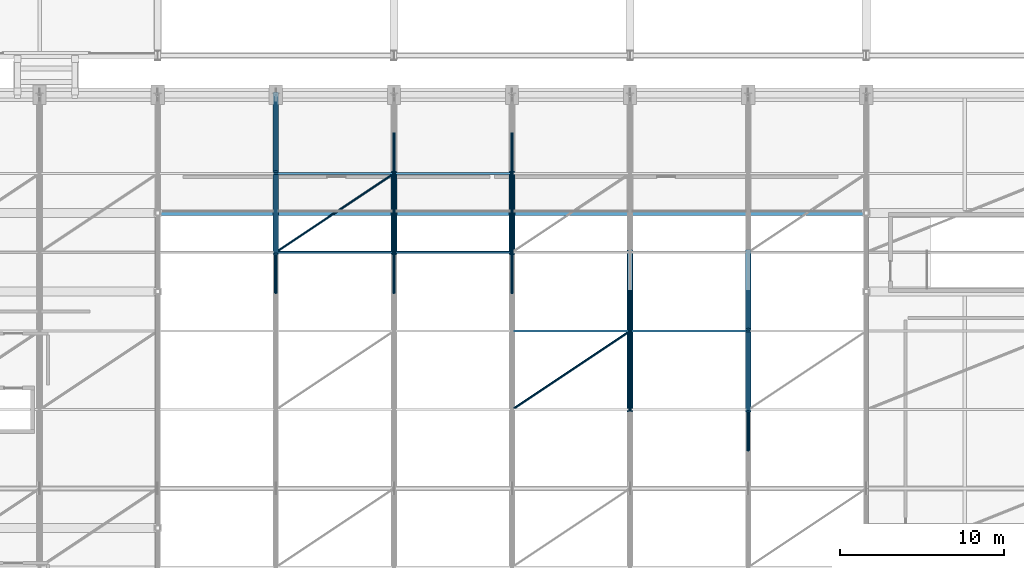
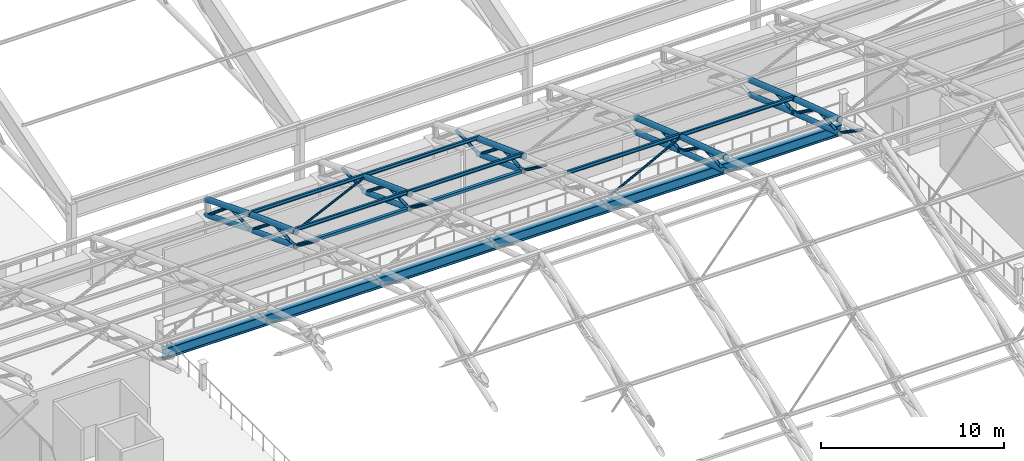
# One storey, part 52 of 116: 46 members, 1 beam.
"""IFC4 building model written with IfcOpenShell, lengths in metres."""

import ifcopenshell
import ifcopenshell.guid

model = None  # the IFC model being written
_history = None  # IfcOwnerHistory: only IFC2X3 demands one
_inside = {}  # id of a spatial element -> (the spatial element, [elements in it])
_under = {}  # id of a project, library or spatial element -> (it, [spatial elements below it])
_declared = {}  # id of a project -> (the project, [libraries it declares])
_typed = {}  # id of a type object -> (the type object, [elements of that type])
_made_of = {}  # id of a material, layer set ... -> (it, [elements and type objects made of it])


def new_model(schema):
    """Start an empty IFC model of exactly this schema.

    Asked for "IFC4X3", IfcOpenShell would pick the latest addendum, in which some entities
    have other attributes; the version numbers below select the first issue.
    IFC2X3 requires an IfcOwnerHistory on every rooted entity: one is made here for all.
    """
    global model, _history
    if schema == "IFC4X3":
        model = ifcopenshell.file(schema_version=(4, 3, 0, 0))
    else:
        model = ifcopenshell.file(schema=schema)
    _inside.clear()
    _under.clear()
    _declared.clear()
    _typed.clear()
    _made_of.clear()
    _history = None
    if model.schema == "IFC2X3":
        org = make("IfcOrganization", Name="unknown")
        user = make(
            "IfcPersonAndOrganization",
            ThePerson=make("IfcPerson", FamilyName="unknown"),
            TheOrganization=org,
        )
        app = make(
            "IfcApplication",
            ApplicationDeveloper=org,
            Version="unknown",
            ApplicationFullName="unknown",
            ApplicationIdentifier="unknown",
        )
        _history = make(
            "IfcOwnerHistory",
            OwningUser=user,
            OwningApplication=app,
            ChangeAction="ADDED",
            CreationDate=0,
        )
    return model


def make(cls, **values):
    """One entity of the class cls with the attributes given. An attribute that is None is left unset."""
    return model.create_entity(
        cls, **{name: value for name, value in values.items() if value is not None}
    )


def rooted(cls, **values):
    """An entity with a GlobalId (a new one), such as an element, a storey or a relation."""
    return make(cls, GlobalId=ifcopenshell.guid.new(), OwnerHistory=_history, **values)


def si_unit(unit_type, name, prefix=None):
    """IfcSIUnit, for example si_unit("LENGTHUNIT", "METRE", prefix="MILLI")."""
    return make("IfcSIUnit", UnitType=unit_type, Prefix=prefix, Name=name)


def assignment(units):
    """IfcUnitAssignment: the units of a project."""
    return None if units is None else make("IfcUnitAssignment", Units=units)


def point(xyz):
    """IfcCartesianPoint."""
    return None if xyz is None else make("IfcCartesianPoint", Coordinates=xyz)


def direction(xyz):
    """IfcDirection."""
    return None if xyz is None else make("IfcDirection", DirectionRatios=xyz)


def frame(location, z_axis=None, x_axis=None):
    """IfcAxis2Placement3D, a coordinate frame: its origin and axes. An axis left out is left unset."""
    return make(
        "IfcAxis2Placement3D",
        Location=point(location),
        Axis=direction(z_axis),
        RefDirection=direction(x_axis),
    )


def frame_2d(location, x_axis=None):
    """IfcAxis2Placement2D, a coordinate frame in the plane: its origin and x axis."""
    return make(
        "IfcAxis2Placement2D", Location=point(location), RefDirection=direction(x_axis)
    )


def origin():
    """The frame at (0, 0, 0) with its axes left unset."""
    return frame((0.0, 0.0, 0.0))


def origin_2d():
    """The frame at (0, 0) in the plane with its x axis left unset."""
    return frame_2d((0.0, 0.0))


def place(relative_to, where):
    """IfcLocalPlacement: puts the frame where relative to a parent placement (None: the world)."""
    return make(
        "IfcLocalPlacement", PlacementRelTo=relative_to, RelativePlacement=where
    )


def context(
    kind, dimensions, precision=None, world=None, true_north=None, identifier=None
):
    """IfcGeometricRepresentationContext, for example the 3D "Model" context."""
    return make(
        "IfcGeometricRepresentationContext",
        ContextIdentifier=identifier,
        ContextType=kind,
        CoordinateSpaceDimension=dimensions,
        Precision=precision,
        WorldCoordinateSystem=world,
        TrueNorth=true_north,
    )


def subcontext(parent, identifier, kind, view, scale=None):
    """IfcGeometricRepresentationSubContext, for example "Body" below "Model"."""
    return make(
        "IfcGeometricRepresentationSubContext",
        ContextIdentifier=identifier,
        ContextType=kind,
        ParentContext=parent,
        TargetScale=scale,
        TargetView=view,
    )


def project(units=None, contexts=None):
    """IfcProject with its units and contexts."""
    return rooted(
        "IfcProject",
        Name="project",
        RepresentationContexts=contexts,
        UnitsInContext=assignment(units),
    )


def spatial(cls, under=None, at=None, **own):
    """A site, building, storey or space (cls), placed at a placement, below another one or the project."""
    s = rooted(cls, ObjectPlacement=at, **own)
    if under is not None:
        _under.setdefault(under.id(), (under, []))[1].append(s)
    return s


def profile(cls, at=None, kind="AREA", **sizes):
    """A parametric profile (cls). Its sizes go by their IFC names, for example OverallWidth=200.0."""
    return make(cls, ProfileType=kind, Position=at, **sizes)


def hollow_rectangle(**sizes):
    """IfcRectangleHollowProfileDef."""
    return profile("IfcRectangleHollowProfileDef", **sizes)


def hollow_circle(**sizes):
    """IfcCircleHollowProfileDef."""
    return profile("IfcCircleHollowProfileDef", **sizes)


def i_section(**sizes):
    """IfcIShapeProfileDef."""
    return profile("IfcIShapeProfileDef", **sizes)


def extrude(swept, where, along, depth):
    """IfcExtrudedAreaSolid: the profile swept, set in the frame where, extruded along a direction by depth."""
    return make(
        "IfcExtrudedAreaSolid",
        SweptArea=swept,
        Position=where,
        ExtrudedDirection=direction(along),
        Depth=depth,
    )


def shape(context_of_items, identifier, shape_type, items):
    """IfcShapeRepresentation: the items that make up one representation, for example the "Body"."""
    return make(
        "IfcShapeRepresentation",
        ContextOfItems=context_of_items,
        RepresentationIdentifier=identifier,
        RepresentationType=shape_type,
        Items=items,
    )


def material(Name=None, Category=None):
    """IfcMaterial."""
    return make("IfcMaterial", Name=Name, Category=Category)


def material_profile(
    of_material, cross_section, Name=None, Category=None, Priority=None
):
    """IfcMaterialProfile: a cross section and its material."""
    return make(
        "IfcMaterialProfile",
        Name=Name,
        Material=of_material,
        Profile=cross_section,
        Priority=Priority,
        Category=Category,
    )


def profile_set(profiles, Name=None, composite=None):
    """IfcMaterialProfileSet."""
    return make(
        "IfcMaterialProfileSet",
        Name=Name,
        MaterialProfiles=profiles,
        CompositeProfile=composite,
    )


def made_of(thing, what):
    """Note that an element or type object is made of a material, layer set ...; save() writes the relation."""
    if what is not None:
        _made_of.setdefault(what.id(), (what, []))[1].append(thing)
    return thing


def type_object(cls, material=None, **own):
    """A type object (cls), such as IfcWallType, which elements share."""
    return made_of(rooted(cls, **own), material)


def element(
    cls,
    number,
    at=None,
    inside=None,
    cuts=None,
    type_object=None,
    material=None,
    context=None,
    identifier="Body",
    shape_type=None,
    held_by="IfcProductDefinitionShape",
    body=None,
    shapes=None,
    **own,
):
    """One element of the class cls, such as IfcWall. Its Tag is "e" and its number.

    at: its placement. inside: the storey or other place that contains it. cuts: it is an
    opening in that element (IfcRelVoidsElement). A single representation is given by context,
    identifier, shape_type and body (its items); several are given by shapes. held_by: the class
    of the entity that holds the representations. save() writes the other relations.
    """
    e = rooted(cls, Tag="e%d" % number, ObjectPlacement=at, **own)
    if body is not None:
        shapes = [shape(context, identifier, shape_type, body)]
    if shapes is not None:
        e.Representation = make(held_by, Representations=shapes)
    if inside is not None:
        _inside.setdefault(inside.id(), (inside, []))[1].append(e)
    if cuts is not None:
        rooted(
            "IfcRelVoidsElement", RelatingBuildingElement=cuts, RelatedOpeningElement=e
        )
    if type_object is not None:
        _typed.setdefault(type_object.id(), (type_object, []))[1].append(e)
    return made_of(e, material)


def aggregate(whole, parts):
    """IfcRelAggregates: a whole, such as a stair, and the parts it consists of."""
    return rooted("IfcRelAggregates", RelatingObject=whole, RelatedObjects=parts)


def save(model, path):
    """Write the relations noted so far, then the file.

    IfcRelAggregates (storeys below a building ...), IfcRelContainedInSpatialStructure (elements
    in a storey), IfcRelDefinesByType, IfcRelAssociatesMaterial and IfcRelDeclares: one each for
    every whole, place, type object, material and project.
    """
    for whole, parts in _under.values():
        aggregate(whole, parts)
    for where, things in _inside.values():
        rooted(
            "IfcRelContainedInSpatialStructure",
            RelatedElements=things,
            RelatingStructure=where,
        )
    for kind, things in _typed.values():
        rooted("IfcRelDefinesByType", RelatedObjects=things, RelatingType=kind)
    for what, things in _made_of.values():
        rooted("IfcRelAssociatesMaterial", RelatedObjects=things, RelatingMaterial=what)
    for by, libraries in _declared.values():
        rooted("IfcRelDeclares", RelatingContext=by, RelatedDefinitions=libraries)
    model.write(path)


model = new_model("IFC4")

# Units and contexts
model_context = context("Model", 3, precision=1e-05, world=origin(), true_north=direction((0.0, 1.0)))
body_context = subcontext(model_context, "Body", "Model", "MODEL_VIEW")
ifc_project = project(units=[si_unit("LENGTHUNIT", "METRE"), si_unit("AREAUNIT", "SQUARE_METRE"), si_unit("VOLUMEUNIT", "CUBIC_METRE"), si_unit("PLANEANGLEUNIT", "RADIAN"), si_unit("MASSUNIT", "GRAM", prefix="KILO")], contexts=[model_context])

# Site, building, storey
site_placement = place(None, origin())
site = spatial("IfcSite", under=ifc_project, at=site_placement, CompositionType="ELEMENT")
building_placement = place(site_placement, origin())
building = spatial("IfcBuilding", under=site, at=building_placement, Name="Cendralis Lancet Convention Centre", CompositionType="ELEMENT")
storey_placement = place(building_placement, frame((0.0, 0.0, 15.0)))
storey = spatial("IfcBuildingStorey", under=building, at=storey_placement, Name="L03", CompositionType="ELEMENT", Elevation=15.0)

# Beam
ifc_material = material(Name="Steel S355", Category="steel")
ifc_material_profile_1 = material_profile(ifc_material, i_section(OverallWidth=0.300048828125, OverallDepth=0.699951171875, WebThickness=0.01708984375, FlangeThickness=0.031982421875, FilletRadius=0.027099609375, at=origin_2d()), Name="HEB 700")
ifc_profile_set_1 = profile_set([ifc_material_profile_1], Name="Steel S355")
beam_type = type_object("IfcBeamType", Name="STR-BM-SG07", PredefinedType="BEAM", material=ifc_profile_set_1)
beam_placement = place(storey_placement, frame((153.77490234375, 84.0, -0.610107421875), z_axis=(1.0, 0.0, 0.0), x_axis=(0.0, 1.0, 0.0)))
element("IfcBeam", 1, at=beam_placement, inside=storey, type_object=beam_type, Name="L03 Beam SG07 #1530", PredefinedType="BEAM", context=body_context, shape_type="SweptSolid", body=[
    extrude(i_section(OverallWidth=0.300048828125, OverallDepth=0.699951171875, WebThickness=0.01708984375, FlangeThickness=0.031982421875, FilletRadius=0.027099609375, at=origin_2d()), origin(), (0.0, 0.0, 1.0), 42.85009765625),
])

# Members
ifc_material_profile_2 = material_profile(ifc_material, hollow_circle(Radius=0.06982421875, WallThickness=0.00634765625, at=origin_2d()), Name="CHS 139.7x6.3")
ifc_profile_set_2 = profile_set([ifc_material_profile_2], Name="Steel S355")
member_type_1 = type_object("IfcMemberType", Name="STR-BR-RB02", PredefinedType="BRACE", material=ifc_profile_set_2)
member_1_placement = place(storey_placement, frame((160.800048828125, 81.60009765625, 6.538818359375), z_axis=(0.814912264104, 0.54325642102, -0.201966489381), x_axis=(-0.554687174313, 0.832058975466, 0.0)))
element("IfcMember", 2, at=member_1_placement, inside=storey, type_object=member_type_1, Name="Roof Diaphragm Brace RB02 V2-03-08A", PredefinedType="BRACE", context=body_context, shape_type="SweptSolid", body=[
    extrude(hollow_circle(Radius=0.06982421875, WallThickness=0.00634765625, at=origin_2d()), origin(), (0.0, 0.0, 1.0), 8.835205078125),
])
member_2_placement = place(storey_placement, frame((175.199951171875, 72.0, 9.7666015625), z_axis=(0.818780471721, 0.545862902394, -0.177854521781), x_axis=(-0.554706707029, 0.832045953765, 0.0)))
element("IfcMember", 3, at=member_2_placement, inside=storey, type_object=member_type_1, Name="Roof Diaphragm Brace RB02 V2-05-06A", PredefinedType="BRACE", context=body_context, shape_type="SweptSolid", body=[
    extrude(hollow_circle(Radius=0.06982421875, WallThickness=0.00634765625, at=origin_2d()), origin(), (0.0, 0.0, 1.0), 8.79345703125),
])
ifc_material_profile_3 = material_profile(ifc_material, hollow_rectangle(XDim=0.179931640625, YDim=0.179931640625, WallThickness=0.010009765625, at=origin_2d()), Name="SHS 180x180x10.0")
ifc_profile_set_3 = profile_set([ifc_material_profile_3], Name="Steel S355")
member_type_2 = type_object("IfcMemberType", Name="STR-BR-ST02", PredefinedType="STRUT", material=ifc_profile_set_3)
for number, where, z_axis, x_axis, name in (
    (4, (160.800048828125, 81.60009765625, 5.555908203125), (1.0, 0.0, 0.0), (0.0, 1.0, 0.0), "Arch Tie Strut ST02 V2-03-08"),
    (5, (168.0, 81.60009765625, 5.555908203125), (1.0, 0.0, 0.0), (0.0, 1.0, 0.0), "Arch Tie Strut ST02 V2-04-08"),
):
    element("IfcMember", number, at=place(storey_placement, frame(where, z_axis=z_axis, x_axis=x_axis)), inside=storey, type_object=member_type_2, Name=name, PredefinedType="STRUT", context=body_context, shape_type="SweptSolid", body=[
        extrude(hollow_rectangle(XDim=0.179931640625, YDim=0.179931640625, WallThickness=0.010009765625, at=origin_2d()), origin(), (0.0, 0.0, 1.0), 7.199951171875),
    ])
ifc_material_profile_4 = material_profile(ifc_material, i_section(OverallWidth=0.1201171875, OverallDepth=0.239990234375, WebThickness=0.006103515625, FlangeThickness=0.009765625, FilletRadius=0.014892578125, at=origin_2d()), Name="IPE 240")
ifc_profile_set_4 = profile_set([ifc_material_profile_4], Name="Steel S355")
member_type_3 = type_object("IfcMemberType", Name="STR-PR-PR02", PredefinedType="PURLIN", material=ifc_profile_set_4)
for number, where, z_axis, x_axis, name in (
    (6, (160.800048828125, 81.60009765625, 6.668701171875), (1.0, 0.0, 0.0), (0.0, 1.0, 0.0), "Vault Roof Purlin PR02 V2-03-08"),
    (7, (160.800048828125, 86.39990234375, 4.884521484375), (1.0, 0.0, 0.0), (0.0, 1.0, 0.0), "Vault Roof Purlin PR02 V2-03-09"),
    (8, (168.0, 81.60009765625, 6.668701171875), (1.0, 0.0, 0.0), (0.0, 1.0, 0.0), "Vault Roof Purlin PR02 V2-04-08"),
    (9, (168.0, 86.39990234375, 4.884521484375), (1.0, 0.0, 0.0), (0.0, 1.0, 0.0), "Vault Roof Purlin PR02 V2-04-09"),
    (10, (175.199951171875, 76.800048828125, 8.332763671875), (1.0, 0.0, 0.0), (0.0, 1.0, 0.0), "Vault Roof Purlin PR02 V2-05-07"),
):
    element("IfcMember", number, at=place(storey_placement, frame(where, z_axis=z_axis, x_axis=x_axis)), inside=storey, type_object=member_type_3, Name=name, PredefinedType="PURLIN", context=body_context, shape_type="SweptSolid", body=[
        extrude(i_section(OverallWidth=0.1201171875, OverallDepth=0.239990234375, WebThickness=0.006103515625, FlangeThickness=0.009765625, FilletRadius=0.014892578125, at=origin_2d()), origin(), (0.0, 0.0, 1.0), 7.199951171875),
    ])
member_3_placement = place(storey_placement, frame((182.39990234375, 76.800048828125, 8.332763671875), z_axis=(1.0, 0.0, 0.0), x_axis=(0.0, 1.0, 0.0)))
element("IfcMember", 11, at=member_3_placement, inside=storey, type_object=member_type_3, Name="Vault Roof Purlin PR02 V2-06-07", PredefinedType="PURLIN", context=body_context, shape_type="SweptSolid", body=[
    extrude(i_section(OverallWidth=0.1201171875, OverallDepth=0.239990234375, WebThickness=0.006103515625, FlangeThickness=0.009765625, FilletRadius=0.014892578125, at=origin_2d()), origin(), (0.0, 0.0, 1.0), 7.2001953125),
])
ifc_material_profile_5 = material_profile(ifc_material, hollow_circle(Radius=0.161865234375, WallThickness=0.01416015625, at=origin_2d()), Name="CHS 323.9x14.2")
ifc_profile_set_5 = profile_set([ifc_material_profile_5], Name="Steel S355")
member_type_4 = type_object("IfcMemberType", Name="STR-TR-BC02-INT", PredefinedType="CHORD", material=ifc_profile_set_5)
member_4_placement = place(storey_placement, frame((160.800048828125, 81.48779296875, 5.598388671875), z_axis=(0.0, 0.935181338514, -0.354169259105), x_axis=(-1.0, 0.0, 0.0)))
element("IfcMember", 12, at=member_4_placement, inside=storey, type_object=member_type_4, Name="ROOF TRUSS AT-V2-04 Bottom Chord 08", PredefinedType="CHORD", context=body_context, shape_type="SweptSolid", body=[
    extrude(hollow_circle(Radius=0.161865234375, WallThickness=0.01416015625, at=origin_2d()), origin(), (0.0, 0.0, 1.0), 5.37255859375),
])
member_5_placement = place(storey_placement, frame((160.800048828125, 86.288818359375, 3.782958984375), z_axis=(0.0, 0.927271931531, -0.374388521451), x_axis=(-1.0, 0.0, 0.0)))
element("IfcMember", 13, at=member_5_placement, inside=storey, type_object=member_type_4, Name="ROOF TRUSS AT-V2-04 Bottom Chord 09", PredefinedType="CHORD", context=body_context, shape_type="SweptSolid", body=[
    extrude(hollow_circle(Radius=0.161865234375, WallThickness=0.01416015625, at=origin_2d()), origin(), (0.0, 0.0, 1.0), 5.41650390625),
])
for number, where, z_axis, x_axis, name in (
    (14, (168.0, 81.48779296875, 5.598388671875), (0.0, 0.935181338514, -0.354169259105), (-1.0, 0.0, 0.0), "ROOF TRUSS AT-V2-05 Bottom Chord 08"),
    (15, (175.199951171875, 81.48779296875, 5.598388671875), (0.0, 0.935181338514, -0.354169259105), (-1.0, 0.0, 0.0), "ROOF TRUSS AT-V2-06 Bottom Chord 08"),
):
    element("IfcMember", number, at=place(storey_placement, frame(where, z_axis=z_axis, x_axis=x_axis)), inside=storey, type_object=member_type_4, Name=name, PredefinedType="CHORD", context=body_context, shape_type="SweptSolid", body=[
        extrude(hollow_circle(Radius=0.161865234375, WallThickness=0.01416015625, at=origin_2d()), origin(), (0.0, 0.0, 1.0), 5.37255859375),
    ])
member_6_placement = place(storey_placement, frame((182.39990234375, 71.885986328125, 8.888916015625), z_axis=(0.0, 0.948830629051, -0.315785429325), x_axis=(-1.0, 0.0, 0.0)))
element("IfcMember", 16, at=member_6_placement, inside=storey, type_object=member_type_4, Name="ROOF TRUSS AT-V2-07 Bottom Chord 06", PredefinedType="CHORD", context=body_context, shape_type="SweptSolid", body=[
    extrude(hollow_circle(Radius=0.161865234375, WallThickness=0.01416015625, at=origin_2d()), origin(), (0.0, 0.0, 1.0), 5.299072265625),
])
member_7_placement = place(storey_placement, frame((182.39990234375, 76.68701171875, 7.29345703125), z_axis=(0.0, 0.942788943503, -0.333390173833), x_axis=(-1.0, 0.0, 0.0)))
element("IfcMember", 17, at=member_7_placement, inside=storey, type_object=member_type_4, Name="ROOF TRUSS AT-V2-07 Bottom Chord 07", PredefinedType="CHORD", context=body_context, shape_type="SweptSolid", body=[
    extrude(hollow_circle(Radius=0.161865234375, WallThickness=0.01416015625, at=origin_2d()), origin(), (0.0, 0.0, 1.0), 5.3310546875),
])
member_8_placement = place(storey_placement, frame((189.60009765625, 71.885986328125, 8.888916015625), z_axis=(0.0, 0.948830629051, -0.315785429325), x_axis=(-1.0, 0.0, 0.0)))
element("IfcMember", 18, at=member_8_placement, inside=storey, type_object=member_type_4, Name="ROOF TRUSS AT-V2-08 Bottom Chord 06", PredefinedType="CHORD", context=body_context, shape_type="SweptSolid", body=[
    extrude(hollow_circle(Radius=0.161865234375, WallThickness=0.01416015625, at=origin_2d()), origin(), (0.0, 0.0, 1.0), 5.299072265625),
])
member_9_placement = place(storey_placement, frame((189.60009765625, 76.68701171875, 7.29345703125), z_axis=(0.0, 0.942788943503, -0.333390173833), x_axis=(-1.0, 0.0, 0.0)))
element("IfcMember", 19, at=member_9_placement, inside=storey, type_object=member_type_4, Name="ROOF TRUSS AT-V2-08 Bottom Chord 07", PredefinedType="CHORD", context=body_context, shape_type="SweptSolid", body=[
    extrude(hollow_circle(Radius=0.161865234375, WallThickness=0.01416015625, at=origin_2d()), origin(), (0.0, 0.0, 1.0), 5.3310546875),
])
ifc_material_profile_6 = material_profile(ifc_material, hollow_circle(Radius=0.177734375, WallThickness=0.01611328125, at=origin_2d()), Name="CHS 355.6x16.0")
ifc_profile_set_6 = profile_set([ifc_material_profile_6], Name="Steel S355")
member_type_5 = type_object("IfcMemberType", Name="STR-TR-TC02-INT", PredefinedType="CHORD", material=ifc_profile_set_6)
member_10_placement = place(storey_placement, frame((160.800048828125, 81.487548828125, 6.58056640625), z_axis=(0.0, 0.937332228344, -0.34843692931), x_axis=(-1.0, 0.0, 0.0)))
element("IfcMember", 20, at=member_10_placement, inside=storey, type_object=member_type_5, Name="ROOF TRUSS AT-V2-04 Top Chord 08", PredefinedType="CHORD", context=body_context, shape_type="SweptSolid", body=[
    extrude(hollow_circle(Radius=0.177734375, WallThickness=0.01611328125, at=origin_2d()), origin(), (0.0, 0.0, 1.0), 5.36083984375),
])
member_11_placement = place(storey_placement, frame((160.800048828125, 86.28857421875, 4.798828125), z_axis=(0.0, 0.929495136476, -0.368834368338), x_axis=(-1.0, 0.0, 0.0)))
element("IfcMember", 21, at=member_11_placement, inside=storey, type_object=member_type_5, Name="ROOF TRUSS AT-V2-04 Top Chord 09", PredefinedType="CHORD", context=body_context, shape_type="SweptSolid", body=[
    extrude(hollow_circle(Radius=0.177734375, WallThickness=0.01611328125, at=origin_2d()), origin(), (0.0, 0.0, 1.0), 5.404052734375),
])
for number, where, z_axis, x_axis, name in (
    (22, (168.0, 81.487548828125, 6.58056640625), (0.0, 0.937332228344, -0.34843692931), (-1.0, 0.0, 0.0), "ROOF TRUSS AT-V2-05 Top Chord 08"),
    (23, (175.199951171875, 81.487548828125, 6.58056640625), (0.0, 0.937332228344, -0.34843692931), (-1.0, 0.0, 0.0), "ROOF TRUSS AT-V2-06 Top Chord 08"),
):
    element("IfcMember", number, at=place(storey_placement, frame(where, z_axis=z_axis, x_axis=x_axis)), inside=storey, type_object=member_type_5, Name=name, PredefinedType="CHORD", context=body_context, shape_type="SweptSolid", body=[
        extrude(hollow_circle(Radius=0.177734375, WallThickness=0.01611328125, at=origin_2d()), origin(), (0.0, 0.0, 1.0), 5.36083984375),
    ])
member_12_placement = place(storey_placement, frame((182.39990234375, 71.885986328125, 9.8037109375), z_axis=(0.0, 0.950808200203, -0.309780190501), x_axis=(-1.0, 0.0, 0.0)))
element("IfcMember", 24, at=member_12_placement, inside=storey, type_object=member_type_5, Name="ROOF TRUSS AT-V2-07 Top Chord 06", PredefinedType="CHORD", context=body_context, shape_type="SweptSolid", body=[
    extrude(hollow_circle(Radius=0.177734375, WallThickness=0.01611328125, at=origin_2d()), origin(), (0.0, 0.0, 1.0), 5.288330078125),
])
member_13_placement = place(storey_placement, frame((182.39990234375, 76.6865234375, 8.241943359375), z_axis=(0.0, 0.944848505706, -0.327507711764), x_axis=(-1.0, 0.0, 0.0)))
element("IfcMember", 25, at=member_13_placement, inside=storey, type_object=member_type_5, Name="ROOF TRUSS AT-V2-07 Top Chord 07", PredefinedType="CHORD", context=body_context, shape_type="SweptSolid", body=[
    extrude(hollow_circle(Radius=0.177734375, WallThickness=0.01611328125, at=origin_2d()), origin(), (0.0, 0.0, 1.0), 5.3203125),
])
member_14_placement = place(storey_placement, frame((189.60009765625, 71.885986328125, 9.8037109375), z_axis=(0.0, 0.950808200203, -0.309780190501), x_axis=(-1.0, 0.0, 0.0)))
element("IfcMember", 26, at=member_14_placement, inside=storey, type_object=member_type_5, Name="ROOF TRUSS AT-V2-08 Top Chord 06", PredefinedType="CHORD", context=body_context, shape_type="SweptSolid", body=[
    extrude(hollow_circle(Radius=0.177734375, WallThickness=0.01611328125, at=origin_2d()), origin(), (0.0, 0.0, 1.0), 5.288330078125),
])
member_15_placement = place(storey_placement, frame((189.60009765625, 76.6865234375, 8.241943359375), z_axis=(0.0, 0.944848505706, -0.327507711764), x_axis=(-1.0, 0.0, 0.0)))
element("IfcMember", 27, at=member_15_placement, inside=storey, type_object=member_type_5, Name="ROOF TRUSS AT-V2-08 Top Chord 07", PredefinedType="CHORD", context=body_context, shape_type="SweptSolid", body=[
    extrude(hollow_circle(Radius=0.177734375, WallThickness=0.01611328125, at=origin_2d()), origin(), (0.0, 0.0, 1.0), 5.3203125),
])
ifc_material_profile_7 = material_profile(ifc_material, hollow_circle(Radius=0.096923828125, WallThickness=0.008056640625, at=origin_2d()), Name="CHS 193.7x8.0")
ifc_profile_set_7 = profile_set([ifc_material_profile_7], Name="Steel S355")
member_type_6 = type_object("IfcMemberType", Name="STR-TR-WD02-INT", PredefinedType="BRACE", material=ifc_profile_set_7)
member_16_placement = place(storey_placement, frame((160.800048828125, 79.1201171875, 7.43115234375), z_axis=(0.0, 0.797620051478, -0.603160222064), x_axis=(-1.0, 0.0, 0.0)))
element("IfcMember", 28, at=member_16_placement, inside=storey, type_object=member_type_6, Name="ROOF TRUSS AT-V2-04 Warren Web 07-1", PredefinedType="BRACE", context=body_context, shape_type="SweptSolid", body=[
    extrude(hollow_circle(Radius=0.096923828125, WallThickness=0.008056640625, at=origin_2d()), origin(), (0.0, 0.0, 1.0), 3.208984375),
])
member_17_placement = place(storey_placement, frame((160.800048828125, 81.5, 5.55224609375), z_axis=(0.0, 0.999288228514, 0.037723154086), x_axis=(-1.0, 0.0, 0.0)))
element("IfcMember", 29, at=member_17_placement, inside=storey, type_object=member_type_6, Name="ROOF TRUSS AT-V2-04 Warren Web 08-0", PredefinedType="BRACE", context=body_context, shape_type="SweptSolid", body=[
    extrude(hollow_circle(Radius=0.096923828125, WallThickness=0.008056640625, at=origin_2d()), origin(), (0.0, 0.0, 1.0), 2.601806640625),
])
member_18_placement = place(storey_placement, frame((160.800048828125, 83.921630859375, 5.708984375), z_axis=(0.0, 0.782673873306, -0.62243201078), x_axis=(-1.0, 0.0, 0.0)))
element("IfcMember", 30, at=member_18_placement, inside=storey, type_object=member_type_6, Name="ROOF TRUSS AT-V2-04 Warren Web 08-1", PredefinedType="BRACE", context=body_context, shape_type="SweptSolid", body=[
    extrude(hollow_circle(Radius=0.096923828125, WallThickness=0.008056640625, at=origin_2d()), origin(), (0.0, 0.0, 1.0), 3.2666015625),
])
member_19_placement = place(storey_placement, frame((160.800048828125, 86.300048828125, 3.7353515625), z_axis=(0.0, 0.999642061144, 0.0267534968), x_axis=(-1.0, 0.0, 0.0)))
element("IfcMember", 31, at=member_19_placement, inside=storey, type_object=member_type_6, Name="ROOF TRUSS AT-V2-04 Warren Web 09-0", PredefinedType="BRACE", context=body_context, shape_type="SweptSolid", body=[
    extrude(hollow_circle(Radius=0.096923828125, WallThickness=0.008056640625, at=origin_2d()), origin(), (0.0, 0.0, 1.0), 2.600830078125),
])
member_20_placement = place(storey_placement, frame((160.800048828125, 88.72314453125, 3.866455078125), z_axis=(0.0, 0.767848091912, -0.640631959667), x_axis=(-1.0, 0.0, 0.0)))
element("IfcMember", 32, at=member_20_placement, inside=storey, type_object=member_type_6, Name="ROOF TRUSS AT-V2-04 Warren Web 09-1", PredefinedType="BRACE", context=body_context, shape_type="SweptSolid", body=[
    extrude(hollow_circle(Radius=0.096923828125, WallThickness=0.008056640625, at=origin_2d()), origin(), (0.0, 0.0, 1.0), 3.32568359375),
])
member_21_placement = place(storey_placement, frame((168.0, 79.1201171875, 7.43115234375), z_axis=(0.0, 0.797620051478, -0.603160222064), x_axis=(-1.0, 0.0, 0.0)))
element("IfcMember", 33, at=member_21_placement, inside=storey, type_object=member_type_6, Name="ROOF TRUSS AT-V2-05 Warren Web 07-1", PredefinedType="BRACE", context=body_context, shape_type="SweptSolid", body=[
    extrude(hollow_circle(Radius=0.096923828125, WallThickness=0.008056640625, at=origin_2d()), origin(), (0.0, 0.0, 1.0), 3.208984375),
])
member_22_placement = place(storey_placement, frame((168.0, 81.5, 5.55224609375), z_axis=(0.0, 0.999288228514, 0.037723154086), x_axis=(-1.0, 0.0, 0.0)))
element("IfcMember", 34, at=member_22_placement, inside=storey, type_object=member_type_6, Name="ROOF TRUSS AT-V2-05 Warren Web 08-0", PredefinedType="BRACE", context=body_context, shape_type="SweptSolid", body=[
    extrude(hollow_circle(Radius=0.096923828125, WallThickness=0.008056640625, at=origin_2d()), origin(), (0.0, 0.0, 1.0), 2.601806640625),
])
member_23_placement = place(storey_placement, frame((168.0, 83.921630859375, 5.708984375), z_axis=(0.0, 0.782673873306, -0.62243201078), x_axis=(-1.0, 0.0, 0.0)))
element("IfcMember", 35, at=member_23_placement, inside=storey, type_object=member_type_6, Name="ROOF TRUSS AT-V2-05 Warren Web 08-1", PredefinedType="BRACE", context=body_context, shape_type="SweptSolid", body=[
    extrude(hollow_circle(Radius=0.096923828125, WallThickness=0.008056640625, at=origin_2d()), origin(), (0.0, 0.0, 1.0), 3.2666015625),
])
member_24_placement = place(storey_placement, frame((168.0, 86.300048828125, 3.7353515625), z_axis=(0.0, 0.999642061144, 0.0267534968), x_axis=(-1.0, 0.0, 0.0)))
element("IfcMember", 36, at=member_24_placement, inside=storey, type_object=member_type_6, Name="ROOF TRUSS AT-V2-05 Warren Web 09-0", PredefinedType="BRACE", context=body_context, shape_type="SweptSolid", body=[
    extrude(hollow_circle(Radius=0.096923828125, WallThickness=0.008056640625, at=origin_2d()), origin(), (0.0, 0.0, 1.0), 2.600830078125),
])
member_25_placement = place(storey_placement, frame((175.199951171875, 79.1201171875, 7.43115234375), z_axis=(0.0, 0.797620051478, -0.603160222064), x_axis=(-1.0, 0.0, 0.0)))
element("IfcMember", 37, at=member_25_placement, inside=storey, type_object=member_type_6, Name="ROOF TRUSS AT-V2-06 Warren Web 07-1", PredefinedType="BRACE", context=body_context, shape_type="SweptSolid", body=[
    extrude(hollow_circle(Radius=0.096923828125, WallThickness=0.008056640625, at=origin_2d()), origin(), (0.0, 0.0, 1.0), 3.208984375),
])
member_26_placement = place(storey_placement, frame((175.199951171875, 81.5, 5.55224609375), z_axis=(0.0, 0.999288228514, 0.037723154086), x_axis=(-1.0, 0.0, 0.0)))
element("IfcMember", 38, at=member_26_placement, inside=storey, type_object=member_type_6, Name="ROOF TRUSS AT-V2-06 Warren Web 08-0", PredefinedType="BRACE", context=body_context, shape_type="SweptSolid", body=[
    extrude(hollow_circle(Radius=0.096923828125, WallThickness=0.008056640625, at=origin_2d()), origin(), (0.0, 0.0, 1.0), 2.601806640625),
])
member_27_placement = place(storey_placement, frame((175.199951171875, 83.921630859375, 5.708984375), z_axis=(0.0, 0.782673873306, -0.62243201078), x_axis=(-1.0, 0.0, 0.0)))
element("IfcMember", 39, at=member_27_placement, inside=storey, type_object=member_type_6, Name="ROOF TRUSS AT-V2-06 Warren Web 08-1", PredefinedType="BRACE", context=body_context, shape_type="SweptSolid", body=[
    extrude(hollow_circle(Radius=0.096923828125, WallThickness=0.008056640625, at=origin_2d()), origin(), (0.0, 0.0, 1.0), 3.2666015625),
])
member_28_placement = place(storey_placement, frame((175.199951171875, 86.300048828125, 3.7353515625), z_axis=(0.0, 0.999642061144, 0.0267534968), x_axis=(-1.0, 0.0, 0.0)))
element("IfcMember", 40, at=member_28_placement, inside=storey, type_object=member_type_6, Name="ROOF TRUSS AT-V2-06 Warren Web 09-0", PredefinedType="BRACE", context=body_context, shape_type="SweptSolid", body=[
    extrude(hollow_circle(Radius=0.096923828125, WallThickness=0.008056640625, at=origin_2d()), origin(), (0.0, 0.0, 1.0), 2.600830078125),
])
member_29_placement = place(storey_placement, frame((182.39990234375, 71.900146484375, 8.84521484375), z_axis=(0.0, 0.998447632237, 0.055698524939), x_axis=(-1.0, 0.0, 0.0)))
element("IfcMember", 41, at=member_29_placement, inside=storey, type_object=member_type_6, Name="ROOF TRUSS AT-V2-07 Warren Web 06-0", PredefinedType="BRACE", context=body_context, shape_type="SweptSolid", body=[
    extrude(hollow_circle(Radius=0.096923828125, WallThickness=0.008056640625, at=origin_2d()), origin(), (0.0, 0.0, 1.0), 2.603759765625),
])
member_30_placement = place(storey_placement, frame((182.39990234375, 74.31884765625, 9.043212890625), z_axis=(0.0, 0.811035686786, -0.584996679273), x_axis=(-1.0, 0.0, 0.0)))
element("IfcMember", 42, at=member_30_placement, inside=storey, type_object=member_type_6, Name="ROOF TRUSS AT-V2-07 Warren Web 06-1", PredefinedType="BRACE", context=body_context, shape_type="SweptSolid", body=[
    extrude(hollow_circle(Radius=0.096923828125, WallThickness=0.008056640625, at=origin_2d()), origin(), (0.0, 0.0, 1.0), 3.1591796875),
])
member_31_placement = place(storey_placement, frame((182.39990234375, 76.7001953125, 7.24853515625), z_axis=(0.0, 0.998805103147, 0.048870910851), x_axis=(-1.0, 0.0, 0.0)))
element("IfcMember", 43, at=member_31_placement, inside=storey, type_object=member_type_6, Name="ROOF TRUSS AT-V2-07 Warren Web 07-0", PredefinedType="BRACE", context=body_context, shape_type="SweptSolid", body=[
    extrude(hollow_circle(Radius=0.096923828125, WallThickness=0.008056640625, at=origin_2d()), origin(), (0.0, 0.0, 1.0), 2.602783203125),
])
member_32_placement = place(storey_placement, frame((189.60009765625, 69.517578125, 10.565185546875), z_axis=(0.0, 0.822876843509, -0.56821976419), x_axis=(-1.0, 0.0, 0.0)))
element("IfcMember", 44, at=member_32_placement, inside=storey, type_object=member_type_6, Name="ROOF TRUSS AT-V2-08 Warren Web 05-1", PredefinedType="BRACE", context=body_context, shape_type="SweptSolid", body=[
    extrude(hollow_circle(Radius=0.096923828125, WallThickness=0.008056640625, at=origin_2d()), origin(), (0.0, 0.0, 1.0), 3.11669921875),
])
member_33_placement = place(storey_placement, frame((189.60009765625, 71.900146484375, 8.84521484375), z_axis=(0.0, 0.998447632237, 0.055698524939), x_axis=(-1.0, 0.0, 0.0)))
element("IfcMember", 45, at=member_33_placement, inside=storey, type_object=member_type_6, Name="ROOF TRUSS AT-V2-08 Warren Web 06-0", PredefinedType="BRACE", context=body_context, shape_type="SweptSolid", body=[
    extrude(hollow_circle(Radius=0.096923828125, WallThickness=0.008056640625, at=origin_2d()), origin(), (0.0, 0.0, 1.0), 2.603759765625),
])
member_34_placement = place(storey_placement, frame((189.60009765625, 74.31884765625, 9.043212890625), z_axis=(0.0, 0.811035686786, -0.584996679273), x_axis=(-1.0, 0.0, 0.0)))
element("IfcMember", 46, at=member_34_placement, inside=storey, type_object=member_type_6, Name="ROOF TRUSS AT-V2-08 Warren Web 06-1", PredefinedType="BRACE", context=body_context, shape_type="SweptSolid", body=[
    extrude(hollow_circle(Radius=0.096923828125, WallThickness=0.008056640625, at=origin_2d()), origin(), (0.0, 0.0, 1.0), 3.1591796875),
])
member_35_placement = place(storey_placement, frame((189.60009765625, 76.7001953125, 7.24853515625), z_axis=(0.0, 0.998805103147, 0.048870910851), x_axis=(-1.0, 0.0, 0.0)))
element("IfcMember", 47, at=member_35_placement, inside=storey, type_object=member_type_6, Name="ROOF TRUSS AT-V2-08 Warren Web 07-0", PredefinedType="BRACE", context=body_context, shape_type="SweptSolid", body=[
    extrude(hollow_circle(Radius=0.096923828125, WallThickness=0.008056640625, at=origin_2d()), origin(), (0.0, 0.0, 1.0), 2.602783203125),
])

save(model, "model.ifc")
